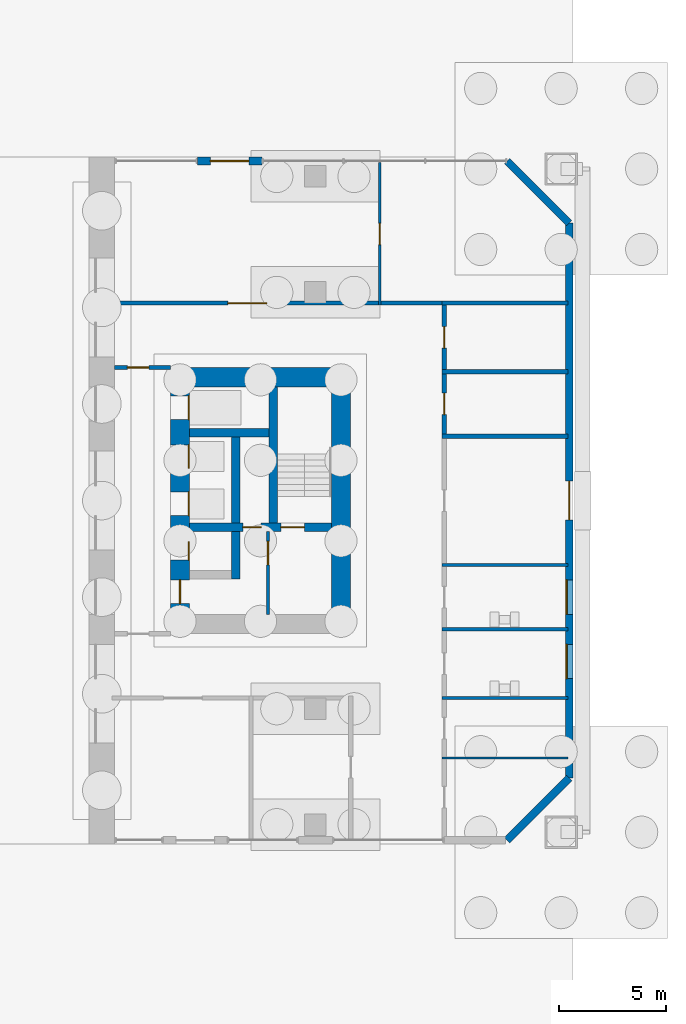
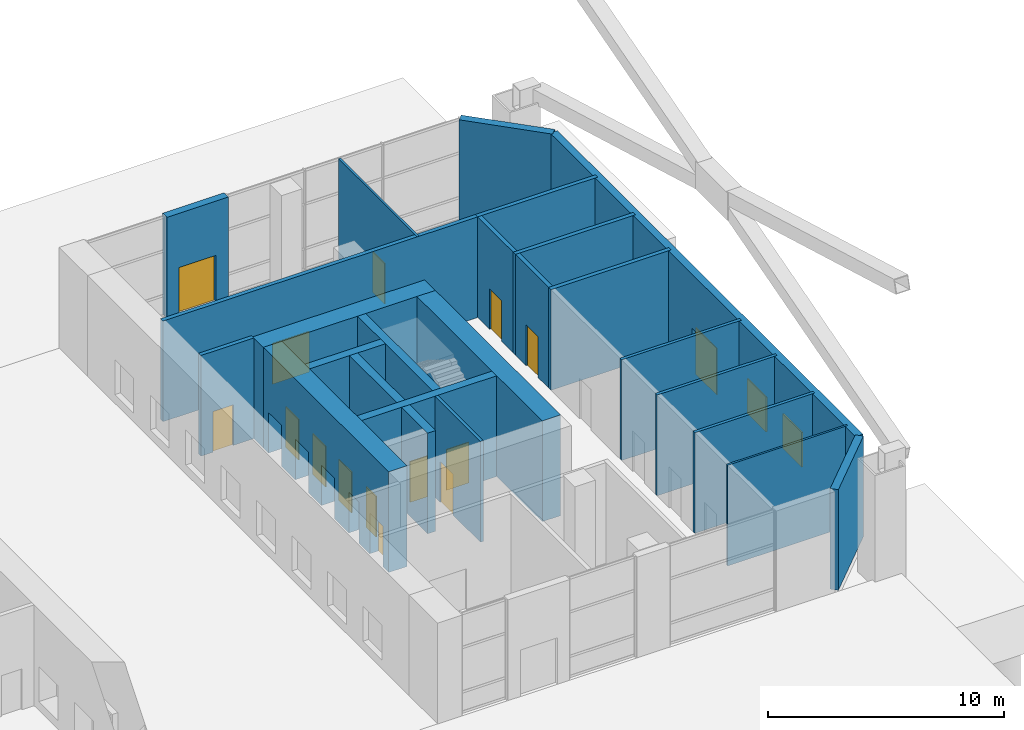
# One storey, part 19 of 26: 24 walls, 15 doors, 2 windows, 17 openings.
"""IFC4 building model written with IfcOpenShell, lengths in metres."""

from ifc_helpers import new_model, si_unit, direction, frame, frame_2d, origin, place, context, subcontext, project, spatial, rectangle, extrude, material, layer, layer_set, type_object, element, fill, save


model = new_model("IFC4")

# Units and contexts
model_context = context("Model", 3, precision=1e-05, world=origin(), true_north=direction((0.0, 1.0)))
body_context = subcontext(model_context, "Body", "Model", "MODEL_VIEW")
ifc_project = project(units=[si_unit("LENGTHUNIT", "METRE"), si_unit("AREAUNIT", "SQUARE_METRE"), si_unit("VOLUMEUNIT", "CUBIC_METRE"), si_unit("PLANEANGLEUNIT", "RADIAN"), si_unit("MASSUNIT", "GRAM", prefix="KILO")], contexts=[model_context])

# Site, building, storey
site_placement = place(None, origin())
site = spatial("IfcSite", under=ifc_project, at=site_placement, CompositionType="ELEMENT")
building_placement = place(site_placement, origin())
building = spatial("IfcBuilding", under=site, at=building_placement, Name="Tuart Gate Housing", CompositionType="ELEMENT")
storey_placement = place(building_placement, origin())
storey = spatial("IfcBuildingStorey", under=building, at=storey_placement, Name="L00", CompositionType="ELEMENT", Elevation=0.0)

# Walls
ifc_material_1 = material(Name="Gypsum board on steel studs", Category="steel")
ifc_layer_1 = layer(ifc_material_1, 0.14990234375)
ifc_layer_set_1 = layer_set([ifc_layer_1], Name="Bathroom wall 150")
wall_type_1 = type_object("IfcWallType", Name="Bathroom wall 150", PredefinedType="PLUMBINGWALL", material=ifc_layer_set_1)
for number, where, z_axis, x_axis, name in (
    (1, (172.89990234375, 60.800048828125, 0.0), (0.0, 0.0, 1.0), (1.0, 0.0, 0.0), "Bathroom wall 150"),
    (2, (172.89990234375, 64.0, 0.0), (0.0, 0.0, 1.0), (1.0, 0.0, 0.0), "Bathroom wall 150"),
    (3, (172.89990234375, 67.0, 0.0), (0.0, 0.0, 1.0), (1.0, 0.0, 0.0), "Bathroom wall 150"),
):
    element("IfcWall", number, at=place(storey_placement, frame(where, z_axis=z_axis, x_axis=x_axis)), inside=storey, type_object=wall_type_1, Name=name, PredefinedType="PLUMBINGWALL", context=body_context, shape_type="SweptSolid", body=[
        extrude(rectangle(XDim=5.860107421875, YDim=0.14990234375, at=frame_2d((2.93017578125, 0.0))), origin(), (0.0, 0.0, 1.0), 5.199951171875),
    ])
ifc_material_2 = material(Name="Brick", Category="masonry")
ifc_layer_2 = layer(ifc_material_2, 0.360107421875)
ifc_layer_set_2 = layer_set([ifc_layer_2], Name="Brick pier and spandrel wall 360")
wall_type_2 = type_object("IfcWallType", Name="Brick pier and spandrel wall 360", PredefinedType="STANDARD", material=ifc_layer_set_2)
wall_1_placement = place(storey_placement, frame((175.92529296875, 54.179931640625, 0.0), z_axis=(0.0, 0.0, 1.0), x_axis=(0.707106781187, 0.707106781187, 0.0)))
element("IfcWall", 4, at=wall_1_placement, inside=storey, type_object=wall_type_2, Name="External wall B-SE L00", PredefinedType="STANDARD", context=body_context, shape_type="SweptSolid", body=[
    extrude(rectangle(XDim=4.09375, YDim=0.360107421875, at=frame_2d((2.046875, 0.0))), origin(), (0.0, 0.0, 1.0), 5.199951171875),
])

# Wall, openings, door, windows
wall_2_placement = place(storey_placement, frame((178.820068359375, 57.07470703125, 0.0), z_axis=(0.0, 0.0, 1.0), x_axis=(0.0, 1.0, 0.0)))
wall_2 = element("IfcWall", 5, at=wall_2_placement, inside=storey, type_object=wall_type_2, Name="External wall B-E L00", PredefinedType="STANDARD", context=body_context, shape_type="SweptSolid", body=[
    extrude(rectangle(XDim=25.850830078125, YDim=0.360107421875, at=frame_2d((12.92529296875, 0.0))), origin(), (0.0, 0.0, 1.0), 5.199951171875),
])
opening_1_placement = place(wall_2_placement, frame((4.62548828125, 0.0, 0.800048828125)))
opening_1 = element("IfcOpeningElement", 6, at=opening_1_placement, cuts=wall_2, Name="Opening W1", PredefinedType="OPENING", context=body_context, shape_type="SweptSolid", body=[
    extrude(rectangle(XDim=1.60009765625, YDim=1.800048828125, at=frame_2d((0.800048828125, 0.89990234375))), frame((0.0, 0.18994140625, 0.0), z_axis=(0.0, -1.0, 0.0), x_axis=(1.0, 0.0, 0.0)), (0.0, 0.0, 1.0), 0.380126953125),
])
opening_2_placement = place(wall_2_placement, frame((7.62548828125, 0.0, 0.800048828125)))
opening_2 = element("IfcOpeningElement", 7, at=opening_2_placement, cuts=wall_2, Name="Opening W1", PredefinedType="OPENING", context=body_context, shape_type="SweptSolid", body=[
    extrude(rectangle(XDim=1.60009765625, YDim=1.800048828125, at=frame_2d((0.800048828125, 0.89990234375))), frame((0.0, 0.18994140625, 0.0), z_axis=(0.0, -1.0, 0.0), x_axis=(1.0, 0.0, 0.0)), (0.0, 0.0, 1.0), 0.380126953125),
])
opening_3_placement = place(wall_2_placement, frame((12.025390625, 0.0, 0.0)))
opening_3 = element("IfcOpeningElement", 8, at=opening_3_placement, cuts=wall_2, Name="Opening D2766", PredefinedType="OPENING", context=body_context, shape_type="SweptSolid", body=[
    extrude(rectangle(XDim=1.800048828125, YDim=2.39990234375, at=frame_2d((0.89990234375, 1.199951171875))), frame((0.0, 0.18994140625, 0.0), z_axis=(0.0, -1.0, 0.0), x_axis=(1.0, 0.0, 0.0)), (0.0, 0.0, 1.0), 0.380126953125),
])
ifc_material_3 = material(Name="Aluminium framed glazed door", Category="aluminium")
door_type_1 = type_object("IfcDoorType", Name="Entrance door 1800 x 2400", OperationType="DOUBLE_DOOR_SINGLE_SWING", PredefinedType="DOOR", material=ifc_material_3)
door_1_placement = place(opening_3_placement, frame((1.800048828125, 0.0, 0.0), z_axis=(0.0, 0.0, 1.0), x_axis=(-1.0, 0.0, 0.0)))
door_1 = element("IfcDoor", 9, at=door_1_placement, inside=storey, type_object=door_type_1, Name="Leg B bicycle store door", OperationType="DOUBLE_DOOR_SINGLE_SWING", OverallHeight=2.39990234375, OverallWidth=1.800048828125, PredefinedType="DOOR", context=body_context, shape_type="SweptSolid", body=[
    extrude(rectangle(XDim=1.800048828125, YDim=2.39990234375, at=frame_2d((0.900146484375, 1.199951171875))), frame((0.0, 0.025146484375, 0.0), z_axis=(0.0, -1.0, 0.0), x_axis=(1.0, 0.0, 0.0)), (0.0, 0.0, 1.0), 0.050048828125),
])
fill(opening_3, door_1)
ifc_material_4 = material(Name="Aluminium frame with clear glass", Category="aluminium")
window_type = type_object("IfcWindowType", Name="Punched window 1600 x 1800", PartitioningType="SINGLE_PANEL", PredefinedType="WINDOW", material=ifc_material_4)
window_1_placement = place(opening_1_placement, origin())
window_1 = element("IfcWindow", 10, at=window_1_placement, inside=storey, type_object=window_type, Name="Window W1", OverallHeight=1.800048828125, OverallWidth=1.60009765625, PartitioningType="SINGLE_PANEL", PredefinedType="WINDOW", context=body_context, shape_type="SweptSolid", body=[
    extrude(rectangle(XDim=1.60009765625, YDim=1.800048828125, at=frame_2d((0.800048828125, 0.89990234375))), frame((0.0, 0.150146484375, 0.0), z_axis=(0.0, -1.0, 0.0), x_axis=(1.0, 0.0, 0.0)), (0.0, 0.0, 1.0), 0.06005859375),
])
fill(opening_1, window_1)
window_2_placement = place(opening_2_placement, origin())
window_2 = element("IfcWindow", 11, at=window_2_placement, inside=storey, type_object=window_type, Name="Window W1", OverallHeight=1.800048828125, OverallWidth=1.60009765625, PartitioningType="SINGLE_PANEL", PredefinedType="WINDOW", context=body_context, shape_type="SweptSolid", body=[
    extrude(rectangle(XDim=1.60009765625, YDim=1.800048828125, at=frame_2d((0.800048828125, 0.89990234375))), frame((0.0, 0.150146484375, 0.0), z_axis=(0.0, -1.0, 0.0), x_axis=(1.0, 0.0, 0.0)), (0.0, 0.0, 1.0), 0.06005859375),
])
fill(opening_2, window_2)

# Wall
wall_3_placement = place(storey_placement, frame((178.820068359375, 82.92529296875, 0.0), z_axis=(0.0, 0.0, 1.0), x_axis=(-0.707106781187, 0.707106781187, 0.0)))
element("IfcWall", 12, at=wall_3_placement, inside=storey, type_object=wall_type_2, Name="External wall B-NE L00", PredefinedType="STANDARD", context=body_context, shape_type="SweptSolid", body=[
    extrude(rectangle(XDim=4.09375, YDim=0.360107421875, at=frame_2d((2.046875, 0.0))), origin(), (0.0, 0.0, 1.0), 5.199951171875),
])

# Wall, opening, door
wall_4_placement = place(storey_placement, frame((164.5, 85.820068359375, 0.0), z_axis=(0.0, 0.0, 1.0), x_axis=(-1.0, 0.0, 0.0)))
wall_4 = element("IfcWall", 13, at=wall_4_placement, inside=storey, type_object=wall_type_2, Name="External wall B-N L00", PredefinedType="STANDARD", context=body_context, shape_type="SweptSolid", body=[
    extrude(rectangle(XDim=3.0, YDim=0.360107421875, at=frame_2d((1.5, 0.0))), origin(), (0.0, 0.0, 1.0), 5.199951171875),
])
opening_4_placement = place(wall_4_placement, frame((0.60009765625, 0.0, 0.0)))
opening_4 = element("IfcOpeningElement", 14, at=opening_4_placement, cuts=wall_4, Name="Opening D2748", PredefinedType="OPENING", context=body_context, shape_type="SweptSolid", body=[
    extrude(rectangle(XDim=1.800048828125, YDim=2.39990234375, at=frame_2d((0.89990234375, 1.199951171875))), frame((0.0, 0.18994140625, 0.0), z_axis=(0.0, -1.0, 0.0), x_axis=(1.0, 0.0, 0.0)), (0.0, 0.0, 1.0), 0.380126953125),
])
door_2_placement = place(opening_4_placement, frame((1.800048828125, 0.0, 0.0), z_axis=(0.0, 0.0, 1.0), x_axis=(-1.0, 0.0, 0.0)))
door_2 = element("IfcDoor", 15, at=door_2_placement, inside=storey, type_object=door_type_1, Name="Leg B cycle store door", OperationType="DOUBLE_DOOR_SINGLE_SWING", OverallHeight=2.39990234375, OverallWidth=1.800048828125, PredefinedType="DOOR", context=body_context, shape_type="SweptSolid", body=[
    extrude(rectangle(XDim=1.800048828125, YDim=2.39990234375, at=frame_2d((0.900146484375, 1.199951171875))), frame((0.0, 0.025146484375, 0.0), z_axis=(0.0, -1.0, 0.0), x_axis=(1.0, 0.0, 0.0)), (0.0, 0.0, 1.0), 0.050048828125),
])
fill(opening_4, door_2)

ifc_material_5 = material(Name="Plasterboard partition")
ifc_layer_3 = layer(ifc_material_5, 0.14990234375)
ifc_layer_set_3 = layer_set([ifc_layer_3], Name="Core partition 150")
wall_type_3 = type_object("IfcWallType", Name="Core partition 150", PredefinedType="PARTITIONING", material=ifc_layer_set_3)
wall_5_placement = place(storey_placement, frame((164.7900390625, 68.550048828125, 0.0), z_axis=(0.0, 0.0, 1.0), x_axis=(0.0, -1.0, 0.0)))
wall_5 = element("IfcWall", 16, at=wall_5_placement, inside=storey, type_object=wall_type_3, Name="Core partition BK.6", PredefinedType="PARTITIONING", context=body_context, shape_type="SweptSolid", body=[
    extrude(rectangle(XDim=3.85009765625, YDim=0.14990234375, at=frame_2d((1.925048828125, 0.0))), origin(), (0.0, 0.0, 1.0), 5.199951171875),
])
opening_5_placement = place(wall_5_placement, frame((0.449951171875, 0.0, 0.0)))
opening_5 = element("IfcOpeningElement", 17, at=opening_5_placement, cuts=wall_5, Name="Opening D2769", PredefinedType="OPENING", context=body_context, shape_type="SweptSolid", body=[
    extrude(rectangle(XDim=1.10009765625, YDim=2.10009765625, at=frame_2d((0.550048828125, 1.050048828125))), frame((0.0, 0.0849609375, 0.0), z_axis=(0.0, -1.0, 0.0), x_axis=(1.0, 0.0, 0.0)), (0.0, 0.0, 1.0), 0.169921875),
])
ifc_material_6 = material(Name="Steel fire door", Category="steel")
door_type_2 = type_object("IfcDoorType", Name="Lobby door 1100 x 2100", OperationType="SINGLE_SWING_LEFT", PredefinedType="DOOR", material=ifc_material_6)
door_3_placement = place(opening_5_placement, origin())
door_3 = element("IfcDoor", 18, at=door_3_placement, inside=storey, type_object=door_type_2, Name="Smoke lobby door BK.KD", OperationType="SINGLE_SWING_LEFT", OverallHeight=2.10009765625, OverallWidth=1.10009765625, PredefinedType="DOOR", context=body_context, shape_type="SweptSolid", body=[
    extrude(rectangle(XDim=1.10009765625, YDim=2.10009765625, at=frame_2d((0.550048828125, 1.050048828125))), frame((0.0, 0.02490234375, 0.0), z_axis=(0.0, -1.0, 0.0), x_axis=(1.0, 0.0, 0.0)), (0.0, 0.0, 1.0), 0.050048828125),
])
fill(opening_5, door_3)

# Wall
ifc_material_7 = material(Name="Concrete C60", Category="concrete")
ifc_layer_4 = layer(ifc_material_7, 0.39990234375)
ifc_layer_set_4 = layer_set([ifc_layer_4], Name="Core wall 400 C60")
wall_type_4 = type_object("IfcWallType", Name="Core wall 400 C60", PredefinedType="SHEAR", material=ifc_layer_set_4)
wall_6_placement = place(storey_placement, frame((161.139892578125, 73.14990234375, 0.0), z_axis=(0.0, 0.0, 1.0), x_axis=(1.0, 0.0, 0.0)))
element("IfcWall", 19, at=wall_6_placement, inside=storey, type_object=wall_type_4, Name="Core wall BK.1", PredefinedType="SHEAR", context=body_context, shape_type="SweptSolid", body=[
    extrude(rectangle(XDim=3.7001953125, YDim=0.39990234375, at=frame_2d((1.85009765625, 0.0))), origin(), (0.0, 0.0, 1.0), 5.199951171875),
])

# Wall, openings, doors
wall_7_placement = place(storey_placement, frame((161.139892578125, 68.75, 0.0), z_axis=(0.0, 0.0, 1.0), x_axis=(1.0, 0.0, 0.0)))
wall_7 = element("IfcWall", 20, at=wall_7_placement, inside=storey, type_object=wall_type_4, Name="Core wall BK.2", PredefinedType="SHEAR", context=body_context, shape_type="SweptSolid", body=[
    extrude(rectangle(XDim=6.60009765625, YDim=0.39990234375, at=frame_2d((3.300048828125, 0.0))), origin(), (0.0, 0.0, 1.0), 5.199951171875),
])
opening_6_placement = place(wall_7_placement, frame((4.25, 0.0, 0.0)))
opening_6 = element("IfcOpeningElement", 21, at=opening_6_placement, cuts=wall_7, Name="Opening D2768", PredefinedType="OPENING", context=body_context, shape_type="SweptSolid", body=[
    extrude(rectangle(XDim=1.10009765625, YDim=2.10009765625, at=frame_2d((0.550048828125, 1.050048828125))), frame((0.0, 0.2099609375, 0.0), z_axis=(0.0, -1.0, 0.0), x_axis=(1.0, 0.0, 0.0)), (0.0, 0.0, 1.0), 0.419921875),
])
opening_7_placement = place(wall_7_placement, frame((2.47509765625, 0.0, 0.0)))
opening_7 = element("IfcOpeningElement", 22, at=opening_7_placement, cuts=wall_7, Name="Opening D2767", PredefinedType="OPENING", context=body_context, shape_type="SweptSolid", body=[
    extrude(rectangle(XDim=0.85009765625, YDim=2.10009765625, at=frame_2d((0.425048828125, 1.050048828125))), frame((0.0, 0.2099609375, 0.0), z_axis=(0.0, -1.0, 0.0), x_axis=(1.0, 0.0, 0.0)), (0.0, 0.0, 1.0), 0.419921875),
])
ifc_material_8 = material(Name="Steel fire door", Category="steel")
door_type_3 = type_object("IfcDoorType", Name="Riser door 850 x 2100", OperationType="SINGLE_SWING_LEFT", PredefinedType="DOOR", material=ifc_material_8)
door_4_placement = place(opening_7_placement, origin())
door_4 = element("IfcDoor", 23, at=door_4_placement, inside=storey, type_object=door_type_3, Name="Service room door BK.W1", OperationType="SINGLE_SWING_LEFT", OverallHeight=2.10009765625, OverallWidth=0.85009765625, PredefinedType="DOOR", context=body_context, shape_type="SweptSolid", body=[
    extrude(rectangle(XDim=0.85009765625, YDim=2.10009765625, at=frame_2d((0.425048828125, 1.050048828125))), frame((0.0, 0.02490234375, 0.0), z_axis=(0.0, -1.0, 0.0), x_axis=(1.0, 0.0, 0.0)), (0.0, 0.0, 1.0), 0.050048828125),
])
fill(opening_7, door_4)
ifc_material_9 = material(Name="Steel fire door", Category="steel")
door_type_4 = type_object("IfcDoorType", Name="Stair door 1100 x 2100", OperationType="SINGLE_SWING_LEFT", PredefinedType="DOOR", material=ifc_material_9)
door_5_placement = place(opening_6_placement, origin())
door_5 = element("IfcDoor", 24, at=door_5_placement, inside=storey, type_object=door_type_4, Name="Stair door BK.SD", OperationType="SINGLE_SWING_LEFT", OverallHeight=2.10009765625, OverallWidth=1.10009765625, PredefinedType="DOOR", context=body_context, shape_type="SweptSolid", body=[
    extrude(rectangle(XDim=1.10009765625, YDim=2.10009765625, at=frame_2d((0.550048828125, 1.050048828125))), frame((0.0, 0.02490234375, 0.0), z_axis=(0.0, -1.0, 0.0), x_axis=(1.0, 0.0, 0.0)), (0.0, 0.0, 1.0), 0.050048828125),
])
fill(opening_6, door_5)

# Walls
wall_8_placement = place(storey_placement, frame((163.2900390625, 72.949951171875, 0.0), z_axis=(0.0, 0.0, 1.0), x_axis=(0.0, -1.0, 0.0)))
element("IfcWall", 25, at=wall_8_placement, inside=storey, type_object=wall_type_4, Name="Core wall BK.4", PredefinedType="SHEAR", context=body_context, shape_type="SweptSolid", body=[
    extrude(rectangle(XDim=4.0, YDim=0.39990234375, at=frame_2d((2.0, 0.0))), origin(), (0.0, 0.0, 1.0), 5.199951171875),
])
wall_9_placement = place(storey_placement, frame((163.2900390625, 68.550048828125, 0.0), z_axis=(0.0, 0.0, 1.0), x_axis=(0.0, -1.0, 0.0)))
element("IfcWall", 26, at=wall_9_placement, inside=storey, type_object=wall_type_4, Name="Core wall BK.5", PredefinedType="SHEAR", context=body_context, shape_type="SweptSolid", body=[
    extrude(rectangle(XDim=2.199951171875, YDim=0.39990234375, at=frame_2d((1.10009765625, 0.0))), origin(), (0.0, 0.0, 1.0), 5.199951171875),
])
wall_10_placement = place(storey_placement, frame((165.0400390625, 75.300048828125, 0.0), z_axis=(0.0, 0.0, 1.0), x_axis=(0.0, -1.0, 0.0)))
element("IfcWall", 27, at=wall_10_placement, inside=storey, type_object=wall_type_4, Name="Core wall BK.7", PredefinedType="SHEAR", context=body_context, shape_type="SweptSolid", body=[
    extrude(rectangle(XDim=6.35009765625, YDim=0.39990234375, at=frame_2d((3.175048828125, 0.0))), origin(), (0.0, 0.0, 1.0), 5.199951171875),
])

# Wall, openings, doors
ifc_material_10 = material(Name="Concrete C60", Category="concrete")
ifc_layer_5 = layer(ifc_material_10, 0.89990234375)
ifc_layer_set_5 = layer_set([ifc_layer_5], Name="Core wall 900 C60")
wall_type_5 = type_object("IfcWallType", Name="Core wall 900 C60", PredefinedType="SHEAR", material=ifc_layer_set_5)
wall_11_placement = place(storey_placement, frame((160.68994140625, 75.300048828125, 0.0), z_axis=(0.0, 0.0, 1.0), x_axis=(0.0, -1.0, 0.0)))
wall_11 = element("IfcWall", 28, at=wall_11_placement, inside=storey, type_object=wall_type_5, Name="Core wall BK front", PredefinedType="SHEAR", context=body_context, shape_type="SweptSolid", body=[
    extrude(rectangle(XDim=10.60009765625, YDim=0.89990234375, at=frame_2d((5.300048828125, 0.0))), origin(), (0.0, 0.0, 1.0), 5.199951171875),
])
opening_8_placement = place(wall_11_placement, frame((0.425048828125, 0.0, 0.0)))
opening_8 = element("IfcOpeningElement", 29, at=opening_8_placement, cuts=wall_11, Name="Opening LD-FB2", PredefinedType="OPENING", context=body_context, shape_type="SweptSolid", body=[
    extrude(rectangle(XDim=1.10009765625, YDim=2.10009765625, at=frame_2d((0.550048828125, 1.050048828125))), frame((0.0, 0.4599609375, 0.0), z_axis=(0.0, -1.0, 0.0), x_axis=(1.0, 0.0, 0.0)), (0.0, 0.0, 1.0), 0.919921875),
])
opening_9_placement = place(wall_11_placement, frame((2.699951171875, 0.0, 0.0)))
opening_9 = element("IfcOpeningElement", 30, at=opening_9_placement, cuts=wall_11, Name="Opening LD-LB3", PredefinedType="OPENING", context=body_context, shape_type="SweptSolid", body=[
    extrude(rectangle(XDim=1.10009765625, YDim=2.10009765625, at=frame_2d((0.550048828125, 1.050048828125))), frame((0.0, 0.4599609375, 0.0), z_axis=(0.0, -1.0, 0.0), x_axis=(1.0, 0.0, 0.0)), (0.0, 0.0, 1.0), 0.919921875),
])
opening_10_placement = place(wall_11_placement, frame((4.89990234375, 0.0, 0.0)))
opening_10 = element("IfcOpeningElement", 31, at=opening_10_placement, cuts=wall_11, Name="Opening LD-LB4", PredefinedType="OPENING", context=body_context, shape_type="SweptSolid", body=[
    extrude(rectangle(XDim=1.10009765625, YDim=2.10009765625, at=frame_2d((0.550048828125, 1.050048828125))), frame((0.0, 0.4599609375, 0.0), z_axis=(0.0, -1.0, 0.0), x_axis=(1.0, 0.0, 0.0)), (0.0, 0.0, 1.0), 0.919921875),
])
opening_11_placement = place(wall_11_placement, frame((9.0, 0.0, 0.0)))
opening_11 = element("IfcOpeningElement", 32, at=opening_11_placement, cuts=wall_11, Name="Opening D2764", PredefinedType="OPENING", context=body_context, shape_type="SweptSolid", body=[
    extrude(rectangle(XDim=1.10009765625, YDim=2.10009765625, at=frame_2d((0.550048828125, 1.050048828125))), frame((0.0, 0.4599609375, 0.0), z_axis=(0.0, -1.0, 0.0), x_axis=(1.0, 0.0, 0.0)), (0.0, 0.0, 1.0), 0.919921875),
])
opening_12_placement = place(wall_11_placement, frame((7.22509765625, 0.0, 0.0)))
opening_12 = element("IfcOpeningElement", 33, at=opening_12_placement, cuts=wall_11, Name="Opening D2765", PredefinedType="OPENING", context=body_context, shape_type="SweptSolid", body=[
    extrude(rectangle(XDim=0.85009765625, YDim=2.10009765625, at=frame_2d((0.425048828125, 1.050048828125))), frame((0.0, 0.4599609375, 0.0), z_axis=(0.0, -1.0, 0.0), x_axis=(1.0, 0.0, 0.0)), (0.0, 0.0, 1.0), 0.919921875),
])
ifc_material_11 = material(Name="Stainless steel", Category="steel")
door_type_5 = type_object("IfcDoorType", Name="Landing door 1100 x 2100", OperationType="DOUBLE_DOOR_SLIDING", PredefinedType="DOOR", material=ifc_material_11)
door_6_placement = place(opening_8_placement, origin())
door_6 = element("IfcDoor", 34, at=door_6_placement, inside=storey, type_object=door_type_5, Name="Lift landing door FB2", OperationType="DOUBLE_DOOR_SLIDING", OverallHeight=2.10009765625, OverallWidth=1.10009765625, PredefinedType="DOOR", context=body_context, shape_type="SweptSolid", body=[
    extrude(rectangle(XDim=1.10009765625, YDim=2.10009765625, at=frame_2d((0.550048828125, 1.050048828125))), frame((0.0, 0.43505859375, 0.0), z_axis=(0.0, -1.0, 0.0), x_axis=(1.0, 0.0, 0.0)), (0.0, 0.0, 1.0), 0.050048828125),
])
fill(opening_8, door_6)
door_7_placement = place(opening_9_placement, origin())
door_7 = element("IfcDoor", 35, at=door_7_placement, inside=storey, type_object=door_type_5, Name="Lift landing door LB3", OperationType="DOUBLE_DOOR_SLIDING", OverallHeight=2.10009765625, OverallWidth=1.10009765625, PredefinedType="DOOR", context=body_context, shape_type="SweptSolid", body=[
    extrude(rectangle(XDim=1.10009765625, YDim=2.10009765625, at=frame_2d((0.550048828125, 1.050048828125))), frame((0.0, 0.43505859375, 0.0), z_axis=(0.0, -1.0, 0.0), x_axis=(1.0, 0.0, 0.0)), (0.0, 0.0, 1.0), 0.050048828125),
])
fill(opening_9, door_7)
door_8_placement = place(opening_10_placement, origin())
door_8 = element("IfcDoor", 36, at=door_8_placement, inside=storey, type_object=door_type_5, Name="Lift landing door LB4", OperationType="DOUBLE_DOOR_SLIDING", OverallHeight=2.10009765625, OverallWidth=1.10009765625, PredefinedType="DOOR", context=body_context, shape_type="SweptSolid", body=[
    extrude(rectangle(XDim=1.10009765625, YDim=2.10009765625, at=frame_2d((0.550048828125, 1.050048828125))), frame((0.0, 0.43505859375, 0.0), z_axis=(0.0, -1.0, 0.0), x_axis=(1.0, 0.0, 0.0)), (0.0, 0.0, 1.0), 0.050048828125),
])
fill(opening_10, door_8)
door_9_placement = place(opening_11_placement, origin())
door_9 = element("IfcDoor", 37, at=door_9_placement, inside=storey, type_object=door_type_2, Name="Lobby entry door BK.EN", OperationType="SINGLE_SWING_LEFT", OverallHeight=2.10009765625, OverallWidth=1.10009765625, PredefinedType="DOOR", context=body_context, shape_type="SweptSolid", body=[
    extrude(rectangle(XDim=1.10009765625, YDim=2.10009765625, at=frame_2d((0.550048828125, 1.050048828125))), frame((0.0, 0.02490234375, 0.0), z_axis=(0.0, -1.0, 0.0), x_axis=(1.0, 0.0, 0.0)), (0.0, 0.0, 1.0), 0.050048828125),
])
fill(opening_11, door_9)
ifc_material_12 = material(Name="Steel fire door", Category="steel")
door_type_6 = type_object("IfcDoorType", Name="Service door 850 x 2100", OperationType="SINGLE_SWING_LEFT", PredefinedType="DOOR", material=ifc_material_12)
door_10_placement = place(opening_12_placement, origin())
door_10 = element("IfcDoor", 38, at=door_10_placement, inside=storey, type_object=door_type_6, Name="Service room door BK.T1", OperationType="SINGLE_SWING_LEFT", OverallHeight=2.10009765625, OverallWidth=0.85009765625, PredefinedType="DOOR", context=body_context, shape_type="SweptSolid", body=[
    extrude(rectangle(XDim=0.85009765625, YDim=2.10009765625, at=frame_2d((0.425048828125, 1.050048828125))), frame((0.0, 0.43505859375, 0.0), z_axis=(0.0, -1.0, 0.0), x_axis=(1.0, 0.0, 0.0)), (0.0, 0.0, 1.0), 0.050048828125),
])
fill(opening_12, door_10)

# Walls
wall_12_placement = place(storey_placement, frame((168.18994140625, 75.300048828125, 0.0), z_axis=(0.0, 0.0, 1.0), x_axis=(0.0, -1.0, 0.0)))
element("IfcWall", 39, at=wall_12_placement, inside=storey, type_object=wall_type_5, Name="Core wall BK back", PredefinedType="SHEAR", context=body_context, shape_type="SweptSolid", body=[
    extrude(rectangle(XDim=10.60009765625, YDim=0.89990234375, at=frame_2d((5.300048828125, 0.0))), origin(), (0.0, 0.0, 1.0), 5.199951171875),
])
wall_13_placement = place(storey_placement, frame((160.239990234375, 75.75, 0.0), z_axis=(0.0, 0.0, 1.0), x_axis=(1.0, 0.0, 0.0)))
element("IfcWall", 40, at=wall_13_placement, inside=storey, type_object=wall_type_5, Name="Core wall BK south", PredefinedType="SHEAR", context=body_context, shape_type="SweptSolid", body=[
    extrude(rectangle(XDim=8.39990234375, YDim=0.89990234375, at=frame_2d((4.199951171875, 0.0))), origin(), (0.0, 0.0, 1.0), 5.199951171875),
])

# Wall, opening, door
ifc_material_13 = material(Name="Concrete masonry 15 MPa", Category="masonry")
ifc_layer_6 = layer(ifc_material_13, 0.199951171875)
ifc_layer_set_6 = layer_set([ifc_layer_6], Name="Corridor wall masonry 200")
wall_type_6 = type_object("IfcWallType", Name="Corridor wall masonry 200", PredefinedType="PARTITIONING", material=ifc_layer_set_6)
wall_14_placement = place(storey_placement, frame((157.530029296875, 79.199951171875, 0.0), z_axis=(0.0, 0.0, 1.0), x_axis=(1.0, 0.0, 0.0)))
wall_14 = element("IfcWall", 41, at=wall_14_placement, inside=storey, type_object=wall_type_6, Name="Corridor wall masonry 200", PredefinedType="PARTITIONING", context=body_context, shape_type="SweptSolid", body=[
    extrude(rectangle(XDim=15.572021484375, YDim=0.199951171875, at=frame_2d((7.7861328125, 0.0))), origin(), (0.0, 0.0, 1.0), 5.199951171875),
])
opening_13_placement = place(wall_14_placement, frame((5.39501953125, 0.0, 0.0)))
opening_13 = element("IfcOpeningElement", 42, at=opening_13_placement, cuts=wall_14, Name="Opening D2752", PredefinedType="OPENING", context=body_context, shape_type="SweptSolid", body=[
    extrude(rectangle(XDim=1.800048828125, YDim=2.10009765625, at=frame_2d((0.89990234375, 1.050048828125))), frame((0.0, 0.10986328125, 0.0), z_axis=(0.0, -1.0, 0.0), x_axis=(1.0, 0.0, 0.0)), (0.0, 0.0, 1.0), 0.219970703125),
])
ifc_material_14 = material(Name="Timber door leaf in steel frame", Category="steel")
door_type_7 = type_object("IfcDoorType", Name="Double door 1800", OperationType="DOUBLE_DOOR_SINGLE_SWING", PredefinedType="DOOR", material=ifc_material_14)
door_11_placement = place(opening_13_placement, origin())
door_11 = element("IfcDoor", 43, at=door_11_placement, inside=storey, type_object=door_type_7, Name="Double door 1800", OperationType="DOUBLE_DOOR_SINGLE_SWING", OverallHeight=2.10009765625, OverallWidth=1.800048828125, PredefinedType="DOOR", context=body_context, shape_type="SweptSolid", body=[
    extrude(rectangle(XDim=1.800048828125, YDim=2.10009765625, at=frame_2d((0.89990234375, 1.050048828125))), frame((0.0, 0.02490234375, 0.0), z_axis=(0.0, -1.0, 0.0), x_axis=(1.0, 0.0, 0.0)), (0.0, 0.0, 1.0), 0.050048828125),
])
fill(opening_13, door_11)

# Walls
ifc_material_15 = material(Name="Concrete masonry 15 MPa", Category="masonry")
ifc_layer_7 = layer(ifc_material_15, 0.199951171875)
ifc_layer_set_7 = layer_set([ifc_layer_7], Name="Enclosure wall masonry 200")
wall_type_7 = type_object("IfcWallType", Name="Enclosure wall masonry 200", PredefinedType="PARTITIONING", material=ifc_layer_set_7)
for number, where, z_axis, x_axis, name in (
    (44, (172.89990234375, 73.0, 0.0), (0.0, 0.0, 1.0), (1.0, 0.0, 0.0), "Enclosure wall masonry 200"),
    (45, (172.89990234375, 76.0, 0.0), (0.0, 0.0, 1.0), (1.0, 0.0, 0.0), "Enclosure wall masonry 200"),
):
    element("IfcWall", number, at=place(storey_placement, frame(where, z_axis=z_axis, x_axis=x_axis)), inside=storey, type_object=wall_type_7, Name=name, PredefinedType="PARTITIONING", context=body_context, shape_type="SweptSolid", body=[
        extrude(rectangle(XDim=5.860107421875, YDim=0.199951171875, at=frame_2d((2.93017578125, 0.0))), origin(), (0.0, 0.0, 1.0), 5.199951171875),
    ])

# Wall, opening, door
wall_15_placement = place(storey_placement, frame((157.64990234375, 76.199951171875, 0.0), z_axis=(0.0, 0.0, 1.0), x_axis=(1.0, 0.0, 0.0)))
wall_15 = element("IfcWall", 46, at=wall_15_placement, inside=storey, type_object=wall_type_7, Name="Enclosure wall masonry 200", PredefinedType="PARTITIONING", context=body_context, shape_type="SweptSolid", body=[
    extrude(rectangle(XDim=2.590087890625, YDim=0.199951171875, at=frame_2d((1.294921875, 0.0))), origin(), (0.0, 0.0, 1.0), 5.199951171875),
])
opening_14_placement = place(wall_15_placement, frame((0.590087890625, 0.0, 0.0)))
opening_14 = element("IfcOpeningElement", 47, at=opening_14_placement, cuts=wall_15, Name="Opening D2755", PredefinedType="OPENING", context=body_context, shape_type="SweptSolid", body=[
    extrude(rectangle(XDim=1.0, YDim=2.10009765625, at=frame_2d((0.5, 1.050048828125))), frame((0.0, 0.10986328125, 0.0), z_axis=(0.0, -1.0, 0.0), x_axis=(1.0, 0.0, 0.0)), (0.0, 0.0, 1.0), 0.219970703125),
])
ifc_material_16 = material(Name="Timber door leaf in steel frame", Category="steel")
door_type_8 = type_object("IfcDoorType", Name="Lobby door 1000", OperationType="SINGLE_SWING_LEFT", PredefinedType="DOOR", material=ifc_material_16)
door_12_placement = place(opening_14_placement, origin())
door_12 = element("IfcDoor", 48, at=door_12_placement, inside=storey, type_object=door_type_8, Name="Lobby door 1000", OperationType="SINGLE_SWING_LEFT", OverallHeight=2.10009765625, OverallWidth=1.0, PredefinedType="DOOR", context=body_context, shape_type="SweptSolid", body=[
    extrude(rectangle(XDim=1.0, YDim=2.10009765625, at=frame_2d((0.5, 1.050048828125))), frame((0.0, 0.02490234375, 0.0), z_axis=(0.0, -1.0, 0.0), x_axis=(1.0, 0.0, 0.0)), (0.0, 0.0, 1.0), 0.050048828125),
])
fill(opening_14, door_12)

# Wall
wall_16_placement = place(storey_placement, frame((172.89794921875, 79.199951171875, 0.0), z_axis=(0.0, 0.0, 1.0), x_axis=(1.0, 0.0, 0.0)))
element("IfcWall", 49, at=wall_16_placement, inside=storey, type_object=wall_type_7, Name="Enclosure wall masonry 200", PredefinedType="PARTITIONING", context=body_context, shape_type="SweptSolid", body=[
    extrude(rectangle(XDim=5.862060546875, YDim=0.199951171875, at=frame_2d((2.93115234375, 0.0))), origin(), (0.0, 0.0, 1.0), 5.199951171875),
])

# Wall, openings, doors
wall_17_placement = place(storey_placement, frame((173.0, 72.89990234375, 0.0), z_axis=(0.0, 0.0, 1.0), x_axis=(0.0, 1.0, 0.0)))
wall_17 = element("IfcWall", 50, at=wall_17_placement, inside=storey, type_object=wall_type_7, Name="Enclosure wall masonry 200", PredefinedType="PARTITIONING", context=body_context, shape_type="SweptSolid", body=[
    extrude(rectangle(XDim=6.400146484375, YDim=0.199951171875, at=frame_2d((3.2001953125, 0.0))), origin(), (0.0, 0.0, 1.0), 5.199951171875),
])
opening_15_placement = place(wall_17_placement, frame((1.10009765625, 0.0, 0.0)))
opening_15 = element("IfcOpeningElement", 51, at=opening_15_placement, cuts=wall_17, Name="Opening D2756", PredefinedType="OPENING", context=body_context, shape_type="SweptSolid", body=[
    extrude(rectangle(XDim=1.0, YDim=2.10009765625, at=frame_2d((0.5, 1.050048828125))), frame((0.0, 0.10986328125, 0.0), z_axis=(0.0, -1.0, 0.0), x_axis=(1.0, 0.0, 0.0)), (0.0, 0.0, 1.0), 0.219970703125),
])
opening_16_placement = place(wall_17_placement, frame((4.199951171875, 0.0, 0.0)))
opening_16 = element("IfcOpeningElement", 52, at=opening_16_placement, cuts=wall_17, Name="Opening D2757", PredefinedType="OPENING", context=body_context, shape_type="SweptSolid", body=[
    extrude(rectangle(XDim=1.0, YDim=2.10009765625, at=frame_2d((0.5, 1.050048828125))), frame((0.0, 0.10986328125, 0.0), z_axis=(0.0, -1.0, 0.0), x_axis=(1.0, 0.0, 0.0)), (0.0, 0.0, 1.0), 0.219970703125),
])
ifc_material_17 = material(Name="Timber door leaf in steel frame", Category="steel")
door_type_9 = type_object("IfcDoorType", Name="Fire door 1000 RH", OperationType="SINGLE_SWING_RIGHT", PredefinedType="DOOR", material=ifc_material_17)
door_13_placement = place(opening_15_placement, frame((1.0, 0.0, 0.0), z_axis=(0.0, 0.0, 1.0), x_axis=(-1.0, 0.0, 0.0)))
door_13 = element("IfcDoor", 53, at=door_13_placement, inside=storey, type_object=door_type_9, Name="Fire door 1000", OperationType="SINGLE_SWING_RIGHT", OverallHeight=2.10009765625, OverallWidth=1.0, PredefinedType="DOOR", context=body_context, shape_type="SweptSolid", body=[
    extrude(rectangle(XDim=1.0, YDim=2.10009765625, at=frame_2d((0.5, 1.050048828125))), frame((0.0, 0.025146484375, 0.0), z_axis=(0.0, -1.0, 0.0), x_axis=(1.0, 0.0, 0.0)), (0.0, 0.0, 1.0), 0.050048828125),
])
fill(opening_15, door_13)
door_14_placement = place(opening_16_placement, frame((1.0, 0.0, 0.0), z_axis=(0.0, 0.0, 1.0), x_axis=(-1.0, 0.0, 0.0)))
door_14 = element("IfcDoor", 54, at=door_14_placement, inside=storey, type_object=door_type_9, Name="Fire door 1000", OperationType="SINGLE_SWING_RIGHT", OverallHeight=2.10009765625, OverallWidth=1.0, PredefinedType="DOOR", context=body_context, shape_type="SweptSolid", body=[
    extrude(rectangle(XDim=1.0, YDim=2.10009765625, at=frame_2d((0.5, 1.050048828125))), frame((0.0, 0.025146484375, 0.0), z_axis=(0.0, -1.0, 0.0), x_axis=(1.0, 0.0, 0.0)), (0.0, 0.0, 1.0), 0.050048828125),
])
fill(opening_16, door_14)

# Wall
ifc_material_18 = material(Name="Gypsum board on steel studs", Category="steel")
ifc_layer_8 = layer(ifc_material_18, 0.10009765625)
ifc_layer_set_8 = layer_set([ifc_layer_8], Name="Partition 100")
wall_type_8 = type_object("IfcWallType", Name="Partition 100", PredefinedType="PARTITIONING", material=ifc_layer_set_8)
wall_18_placement = place(storey_placement, frame((172.89990234375, 58.0, 0.0), z_axis=(0.0, 0.0, 1.0), x_axis=(1.0, 0.0, 0.0)))
element("IfcWall", 55, at=wall_18_placement, inside=storey, type_object=wall_type_8, Name="Partition 100", PredefinedType="PARTITIONING", context=body_context, shape_type="SweptSolid", body=[
    extrude(rectangle(XDim=5.860107421875, YDim=0.10009765625, at=frame_2d((2.93017578125, 0.0))), origin(), (0.0, 0.0, 1.0), 5.199951171875),
])

# Wall, opening, door
wall_19_placement = place(storey_placement, frame((170.0, 79.10009765625, 0.0), z_axis=(0.0, 0.0, 1.0), x_axis=(0.0, 1.0, 0.0)))
wall_19 = element("IfcWall", 56, at=wall_19_placement, inside=storey, type_object=wall_type_8, Name="Partition 100", PredefinedType="PARTITIONING", context=body_context, shape_type="SweptSolid", body=[
    extrude(rectangle(XDim=6.659912109375, YDim=0.10009765625, at=frame_2d((3.330078125, 0.0))), origin(), (0.0, 0.0, 1.0), 5.199951171875),
])
opening_17_placement = place(wall_19_placement, frame((2.820068359375, 0.0, 0.0)))
opening_17 = element("IfcOpeningElement", 57, at=opening_17_placement, cuts=wall_19, Name="Opening D2749", PredefinedType="OPENING", context=body_context, shape_type="SweptSolid", body=[
    extrude(rectangle(XDim=1.0, YDim=2.10009765625, at=frame_2d((0.5, 1.050048828125))), frame((0.0, 0.06005859375, 0.0), z_axis=(0.0, -1.0, 0.0), x_axis=(1.0, 0.0, 0.0)), (0.0, 0.0, 1.0), 0.1201171875),
])
ifc_material_19 = material(Name="Timber door leaf in steel frame", Category="steel")
door_type_10 = type_object("IfcDoorType", Name="Internal door 1000", OperationType="SINGLE_SWING_LEFT", PredefinedType="DOOR", material=ifc_material_19)
door_15_placement = place(opening_17_placement, origin())
door_15 = element("IfcDoor", 58, at=door_15_placement, inside=storey, type_object=door_type_10, Name="Internal door 1000", OperationType="SINGLE_SWING_LEFT", OverallHeight=2.10009765625, OverallWidth=1.0, PredefinedType="DOOR", context=body_context, shape_type="SweptSolid", body=[
    extrude(rectangle(XDim=1.0, YDim=2.10009765625, at=frame_2d((0.5, 1.050048828125))), frame((0.0, 0.02490234375, 0.0), z_axis=(0.0, -1.0, 0.0), x_axis=(1.0, 0.0, 0.0)), (0.0, 0.0, 1.0), 0.050048828125),
])
fill(opening_17, door_15)

save(model, "model.ifc")
